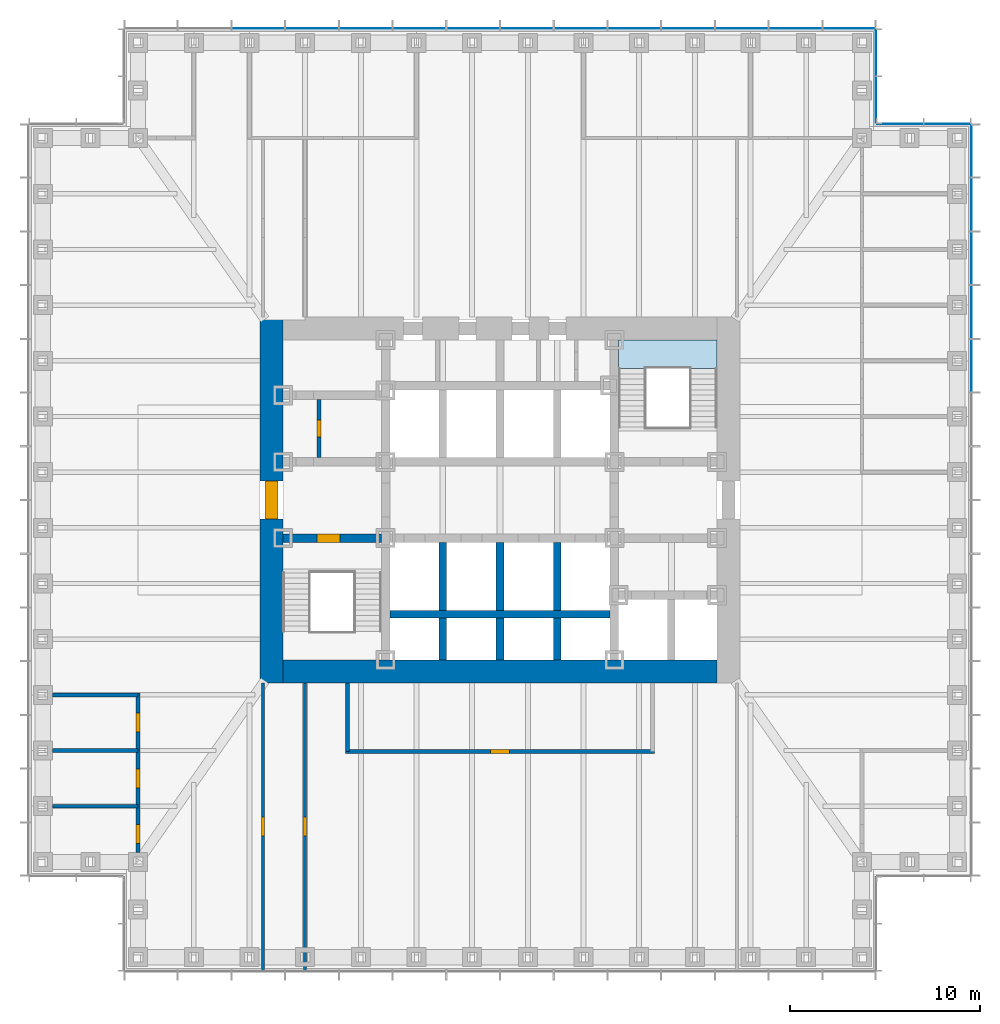
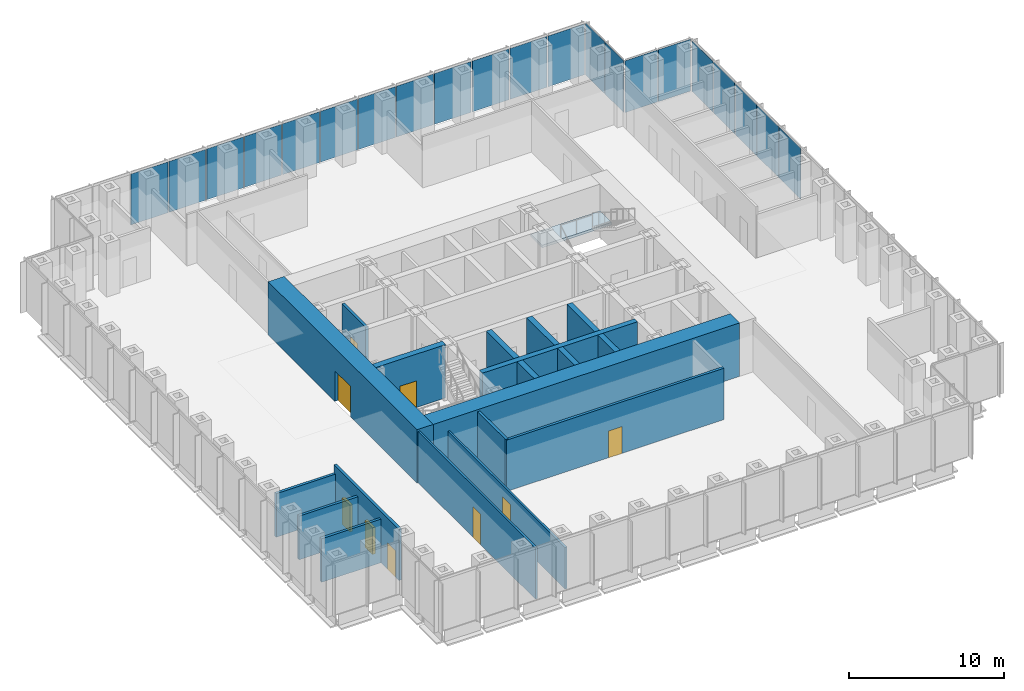
# One storey, part 8 of 16: 21 plates, 19 walls, 9 doors, 1 slab, 9 openings, 5 elements without a shape of their own.
"""IFC4 building model written with IfcOpenShell, lengths in metres."""

from ifc_helpers import new_model, si_unit, direction, frame, frame_2d, origin, origin_2d, place, context, subcontext, project, spatial, polyline, rectangle, outline, extrude, material, layer, layer_set, type_object, element, fill, aggregate, save


model = new_model("IFC4")

# Units and contexts
model_context = context("Model", 3, precision=1e-05, world=origin(), true_north=direction((0.0, 1.0)))
body_context = subcontext(model_context, "Body", "Model", "MODEL_VIEW")
ifc_project = project(units=[si_unit("LENGTHUNIT", "METRE"), si_unit("AREAUNIT", "SQUARE_METRE"), si_unit("VOLUMEUNIT", "CUBIC_METRE"), si_unit("PLANEANGLEUNIT", "RADIAN"), si_unit("MASSUNIT", "GRAM", prefix="KILO")], contexts=[model_context])

# Site, building, storey
site_placement = place(None, origin())
site = spatial("IfcSite", under=ifc_project, at=site_placement, CompositionType="ELEMENT")
building_placement = place(site_placement, origin())
building = spatial("IfcBuilding", under=site, at=building_placement, Name="Daluyong Arena Tower", CompositionType="ELEMENT")
storey_placement = place(building_placement, frame((0.0, 0.0, 51.699951171875)))
storey = spatial("IfcBuildingStorey", under=building, at=storey_placement, Name="L10", CompositionType="ELEMENT", Elevation=51.699951171875)

# Curtain wall, plates
ifc_material_1 = material(Name="Bronze anodised aluminium and glass", Category="aluminium")
curtain_wall_type_1 = type_object("IfcCurtainWallType", Name="Curtain wall CW1", PredefinedType="USERDEFINED", material=ifc_material_1)
curtain_wall_1_placement = place(storey_placement, origin())
curtain_wall_1 = element("IfcCurtainWall", 1, at=curtain_wall_1_placement, inside=storey, type_object=curtain_wall_type_1, Name="curtain wall L10 E", ObjectType="UNITISED CURTAIN WALL", PredefinedType="USERDEFINED")
ifc_material_2 = material(Name="Tinted double glazed unit", Category="glass")
ifc_layer_1 = layer(ifc_material_2, 0.031982421875)
ifc_layer_set_1 = layer_set([ifc_layer_1], Name="Tinted double glazed unit")
plate_type_1 = type_object("IfcPlateType", Name="CW1 panel 32", PredefinedType="CURTAIN_PANEL", material=ifc_layer_set_1)
plate_1_placement = place(storey_placement, frame((80.75, 87.053466796875, 0.0), z_axis=(0.0, 0.0, 1.0), x_axis=(0.0, 1.0, 0.0)))
plate_1 = element("IfcPlate", 2, at=plate_1_placement, type_object=plate_type_1, Name="curtain wall L10 E panel 10", PredefinedType="CURTAIN_PANEL", context=body_context, shape_type="SweptSolid", body=[
    extrude(rectangle(XDim=2.741455078125, YDim=0.031982421875, at=origin_2d()), origin(), (0.0, 0.0, 1.0), 4.0),
])
plate_2_placement = place(storey_placement, frame((80.75, 89.875, 0.0), z_axis=(0.0, 0.0, 1.0), x_axis=(0.0, 1.0, 0.0)))
plate_2 = element("IfcPlate", 3, at=plate_2_placement, type_object=plate_type_1, Name="curtain wall L10 E panel 11", PredefinedType="CURTAIN_PANEL", context=body_context, shape_type="SweptSolid", body=[
    extrude(rectangle(XDim=2.741455078125, YDim=0.031982421875, at=origin_2d()), origin(), (0.0, 0.0, 1.0), 4.0),
])
plate_3_placement = place(storey_placement, frame((80.75, 92.696533203125, 0.0), z_axis=(0.0, 0.0, 1.0), x_axis=(0.0, 1.0, 0.0)))
plate_3 = element("IfcPlate", 4, at=plate_3_placement, type_object=plate_type_1, Name="curtain wall L10 E panel 12", PredefinedType="CURTAIN_PANEL", context=body_context, shape_type="SweptSolid", body=[
    extrude(rectangle(XDim=2.741455078125, YDim=0.031982421875, at=origin_2d()), origin(), (0.0, 0.0, 1.0), 4.0),
])
plate_4_placement = place(storey_placement, frame((80.75, 95.517822265625, 0.0), z_axis=(0.0, 0.0, 1.0), x_axis=(0.0, 1.0, 0.0)))
plate_4 = element("IfcPlate", 5, at=plate_4_placement, type_object=plate_type_1, Name="curtain wall L10 E panel 13", PredefinedType="CURTAIN_PANEL", context=body_context, shape_type="SweptSolid", body=[
    extrude(rectangle(XDim=2.741455078125, YDim=0.031982421875, at=origin_2d()), origin(), (0.0, 0.0, 1.0), 4.0),
])
plate_5_placement = place(storey_placement, frame((80.75, 98.3193359375, 0.0), z_axis=(0.0, 0.0, 1.0), x_axis=(0.0, 1.0, 0.0)))
plate_5 = element("IfcPlate", 6, at=plate_5_placement, type_object=plate_type_1, Name="curtain wall L10 E panel 14", PredefinedType="CURTAIN_PANEL", context=body_context, shape_type="SweptSolid", body=[
    extrude(rectangle(XDim=2.701416015625, YDim=0.031982421875, at=origin_2d()), origin(), (0.0, 0.0, 1.0), 4.0),
])
aggregate(curtain_wall_1, [plate_1, plate_2, plate_3, plate_4, plate_5])

curtain_wall_2_placement = place(storey_placement, origin())
curtain_wall_2 = element("IfcCurtainWall", 7, at=curtain_wall_2_placement, inside=storey, type_object=curtain_wall_type_1, Name="curtain wall L10 N", ObjectType="UNITISED CURTAIN WALL", PredefinedType="USERDEFINED")
plate_6_placement = place(storey_placement, frame((74.3193359375, 104.75, 0.0), z_axis=(0.0, 0.0, 1.0), x_axis=(-1.0, 0.0, 0.0)))
plate_6 = element("IfcPlate", 8, at=plate_6_placement, type_object=plate_type_1, Name="curtain wall L10 N panel 1", PredefinedType="CURTAIN_PANEL", context=body_context, shape_type="SweptSolid", body=[
    extrude(rectangle(XDim=2.701416015625, YDim=0.031982421875, at=origin_2d()), origin(), (0.0, 0.0, 1.0), 4.0),
])
plate_7_placement = place(storey_placement, frame((71.517822265625, 104.75, 0.0), z_axis=(0.0, 0.0, 1.0), x_axis=(-1.0, 0.0, 0.0)))
plate_7 = element("IfcPlate", 9, at=plate_7_placement, type_object=plate_type_1, Name="curtain wall L10 N panel 2", PredefinedType="CURTAIN_PANEL", context=body_context, shape_type="SweptSolid", body=[
    extrude(rectangle(XDim=2.741455078125, YDim=0.031982421875, at=origin_2d()), origin(), (0.0, 0.0, 1.0), 4.0),
])
plate_8_placement = place(storey_placement, frame((68.696533203125, 104.75, 0.0), z_axis=(0.0, 0.0, 1.0), x_axis=(-1.0, 0.0, 0.0)))
plate_8 = element("IfcPlate", 10, at=plate_8_placement, type_object=plate_type_1, Name="curtain wall L10 N panel 3", PredefinedType="CURTAIN_PANEL", context=body_context, shape_type="SweptSolid", body=[
    extrude(rectangle(XDim=2.741455078125, YDim=0.031982421875, at=origin_2d()), origin(), (0.0, 0.0, 1.0), 4.0),
])
plate_9_placement = place(storey_placement, frame((65.875, 104.75, 0.0), z_axis=(0.0, 0.0, 1.0), x_axis=(-1.0, 0.0, 0.0)))
plate_9 = element("IfcPlate", 11, at=plate_9_placement, type_object=plate_type_1, Name="curtain wall L10 N panel 4", PredefinedType="CURTAIN_PANEL", context=body_context, shape_type="SweptSolid", body=[
    extrude(rectangle(XDim=2.741455078125, YDim=0.031982421875, at=origin_2d()), origin(), (0.0, 0.0, 1.0), 4.0),
])
plate_10_placement = place(storey_placement, frame((63.053466796875, 104.75, 0.0), z_axis=(0.0, 0.0, 1.0), x_axis=(-1.0, 0.0, 0.0)))
plate_10 = element("IfcPlate", 12, at=plate_10_placement, type_object=plate_type_1, Name="curtain wall L10 N panel 5", PredefinedType="CURTAIN_PANEL", context=body_context, shape_type="SweptSolid", body=[
    extrude(rectangle(XDim=2.741455078125, YDim=0.031982421875, at=origin_2d()), origin(), (0.0, 0.0, 1.0), 4.0),
])
plate_11_placement = place(storey_placement, frame((60.232177734375, 104.75, 0.0), z_axis=(0.0, 0.0, 1.0), x_axis=(-1.0, 0.0, 0.0)))
plate_11 = element("IfcPlate", 13, at=plate_11_placement, type_object=plate_type_1, Name="curtain wall L10 N panel 6", PredefinedType="CURTAIN_PANEL", context=body_context, shape_type="SweptSolid", body=[
    extrude(rectangle(XDim=2.741455078125, YDim=0.031982421875, at=origin_2d()), origin(), (0.0, 0.0, 1.0), 4.0),
])
plate_12_placement = place(storey_placement, frame((57.41064453125, 104.75, 0.0), z_axis=(0.0, 0.0, 1.0), x_axis=(-1.0, 0.0, 0.0)))
plate_12 = element("IfcPlate", 14, at=plate_12_placement, type_object=plate_type_1, Name="curtain wall L10 N panel 7", PredefinedType="CURTAIN_PANEL", context=body_context, shape_type="SweptSolid", body=[
    extrude(rectangle(XDim=2.741455078125, YDim=0.031982421875, at=origin_2d()), origin(), (0.0, 0.0, 1.0), 4.0),
])
plate_13_placement = place(storey_placement, frame((54.58935546875, 104.75, 0.0), z_axis=(0.0, 0.0, 1.0), x_axis=(-1.0, 0.0, 0.0)))
plate_13 = element("IfcPlate", 15, at=plate_13_placement, type_object=plate_type_1, Name="curtain wall L10 N panel 8", PredefinedType="CURTAIN_PANEL", context=body_context, shape_type="SweptSolid", body=[
    extrude(rectangle(XDim=2.741455078125, YDim=0.031982421875, at=origin_2d()), origin(), (0.0, 0.0, 1.0), 4.0),
])
plate_14_placement = place(storey_placement, frame((51.767822265625, 104.75, 0.0), z_axis=(0.0, 0.0, 1.0), x_axis=(-1.0, 0.0, 0.0)))
plate_14 = element("IfcPlate", 16, at=plate_14_placement, type_object=plate_type_1, Name="curtain wall L10 N panel 9", PredefinedType="CURTAIN_PANEL", context=body_context, shape_type="SweptSolid", body=[
    extrude(rectangle(XDim=2.741455078125, YDim=0.031982421875, at=origin_2d()), origin(), (0.0, 0.0, 1.0), 4.0),
])
plate_15_placement = place(storey_placement, frame((48.946533203125, 104.75, 0.0), z_axis=(0.0, 0.0, 1.0), x_axis=(-1.0, 0.0, 0.0)))
plate_15 = element("IfcPlate", 17, at=plate_15_placement, type_object=plate_type_1, Name="curtain wall L10 N panel 10", PredefinedType="CURTAIN_PANEL", context=body_context, shape_type="SweptSolid", body=[
    extrude(rectangle(XDim=2.741455078125, YDim=0.031982421875, at=origin_2d()), origin(), (0.0, 0.0, 1.0), 4.0),
])
plate_16_placement = place(storey_placement, frame((46.125, 104.75, 0.0), z_axis=(0.0, 0.0, 1.0), x_axis=(-1.0, 0.0, 0.0)))
plate_16 = element("IfcPlate", 18, at=plate_16_placement, type_object=plate_type_1, Name="curtain wall L10 N panel 11", PredefinedType="CURTAIN_PANEL", context=body_context, shape_type="SweptSolid", body=[
    extrude(rectangle(XDim=2.741455078125, YDim=0.031982421875, at=origin_2d()), origin(), (0.0, 0.0, 1.0), 4.0),
])
plate_17_placement = place(storey_placement, frame((43.303466796875, 104.75, 0.0), z_axis=(0.0, 0.0, 1.0), x_axis=(-1.0, 0.0, 0.0)))
plate_17 = element("IfcPlate", 19, at=plate_17_placement, type_object=plate_type_1, Name="curtain wall L10 N panel 12", PredefinedType="CURTAIN_PANEL", context=body_context, shape_type="SweptSolid", body=[
    extrude(rectangle(XDim=2.741455078125, YDim=0.031982421875, at=origin_2d()), origin(), (0.0, 0.0, 1.0), 4.0),
])
aggregate(curtain_wall_2, [plate_6, plate_7, plate_8, plate_9, plate_10, plate_11, plate_12, plate_13, plate_14, plate_15, plate_16, plate_17])

ifc_material_3 = material(Name="Bronze anodised aluminium and glass", Category="aluminium")
curtain_wall_type_2 = type_object("IfcCurtainWallType", Name="Curtain wall CW7", PredefinedType="USERDEFINED", material=ifc_material_3)
curtain_wall_3_placement = place(storey_placement, origin())
curtain_wall_3 = element("IfcCurtainWall", 20, at=curtain_wall_3_placement, inside=storey, type_object=curtain_wall_type_2, Name="curtain wall L10 NE-N", ObjectType="UNITISED CURTAIN WALL", PredefinedType="USERDEFINED")
ifc_material_4 = material(Name="Tinted double glazed unit", Category="glass")
ifc_layer_2 = layer(ifc_material_4, 0.028076171875)
ifc_layer_set_2 = layer_set([ifc_layer_2], Name="Tinted double glazed unit")
plate_type_2 = type_object("IfcPlateType", Name="CW7 panel 28", PredefinedType="CURTAIN_PANEL", material=ifc_layer_set_2)
plate_18_placement = place(storey_placement, frame((79.485107421875, 99.75, 0.0), z_axis=(0.0, 0.0, 1.0), x_axis=(-1.0, 0.0, 0.0)))
plate_18 = element("IfcPlate", 21, at=plate_18_placement, type_object=plate_type_2, Name="curtain wall L10 NE-N panel 1", PredefinedType="CURTAIN_PANEL", context=body_context, shape_type="SweptSolid", body=[
    extrude(rectangle(XDim=2.409912109375, YDim=0.028076171875, at=origin_2d()), origin(), (0.0, 0.0, 1.0), 4.080078125),
])
plate_19_placement = place(storey_placement, frame((77.014892578125, 99.75, 0.0), z_axis=(0.0, 0.0, 1.0), x_axis=(-1.0, 0.0, 0.0)))
plate_19 = element("IfcPlate", 22, at=plate_19_placement, type_object=plate_type_2, Name="curtain wall L10 NE-N panel 2", PredefinedType="CURTAIN_PANEL", context=body_context, shape_type="SweptSolid", body=[
    extrude(rectangle(XDim=2.409912109375, YDim=0.028076171875, at=origin_2d()), origin(), (0.0, 0.0, 1.0), 4.080078125),
])
aggregate(curtain_wall_3, [plate_18, plate_19])

curtain_wall_4_placement = place(storey_placement, origin())
curtain_wall_4 = element("IfcCurtainWall", 23, at=curtain_wall_4_placement, inside=storey, type_object=curtain_wall_type_2, Name="curtain wall L10 NE-E", ObjectType="UNITISED CURTAIN WALL", PredefinedType="USERDEFINED")
plate_20_placement = place(storey_placement, frame((75.75, 101.014892578125, 0.0), z_axis=(0.0, 0.0, 1.0), x_axis=(0.0, 1.0, 0.0)))
plate_20 = element("IfcPlate", 24, at=plate_20_placement, type_object=plate_type_2, Name="curtain wall L10 NE-E panel 1", PredefinedType="CURTAIN_PANEL", context=body_context, shape_type="SweptSolid", body=[
    extrude(rectangle(XDim=2.409912109375, YDim=0.028076171875, at=origin_2d()), origin(), (0.0, 0.0, 1.0), 4.080078125),
])
plate_21_placement = place(storey_placement, frame((75.75, 103.485107421875, 0.0), z_axis=(0.0, 0.0, 1.0), x_axis=(0.0, 1.0, 0.0)))
plate_21 = element("IfcPlate", 25, at=plate_21_placement, type_object=plate_type_2, Name="curtain wall L10 NE-E panel 2", PredefinedType="CURTAIN_PANEL", context=body_context, shape_type="SweptSolid", body=[
    extrude(rectangle(XDim=2.409912109375, YDim=0.028076171875, at=origin_2d()), origin(), (0.0, 0.0, 1.0), 4.080078125),
])
aggregate(curtain_wall_4, [plate_20, plate_21])

# Stair, slab
ifc_material_5 = material(Name="Concrete fc' 35 MPa", Category="concrete")
stair_type = type_object("IfcStairType", Name="Core exit stair", PredefinedType="HALF_TURN_STAIR", material=ifc_material_5)
stair_placement = place(storey_placement, origin())
stair = element("IfcStair", 26, at=stair_placement, inside=storey, type_object=stair_type, Name="exit stair B L10", PredefinedType="HALF_TURN_STAIR")
ifc_material_6 = material(Name="Concrete fc' 35 MPa", Category="concrete")
ifc_layer_3 = layer(ifc_material_6, 0.199951171875)
ifc_layer_set_3 = layer_set([ifc_layer_3], Name="Concrete fc' 35 MPa")
slab_type = type_object("IfcSlabType", Name="Stair landing 200", PredefinedType="LANDING", material=ifc_layer_set_3)
slab_placement = place(storey_placement, frame((0.0, 0.0, 1.900146484375)))
slab = element("IfcSlab", 27, at=slab_placement, type_object=slab_type, Name="STB landing 1", PredefinedType="LANDING", context=body_context, shape_type="SweptSolid", body=[
    extrude(outline(polyline([(62.22509765625, 86.905029296875), (67.39990234375, 86.905029296875), (67.39990234375, 88.39990234375), (62.22509765625, 88.39990234375), (62.22509765625, 86.905029296875)])), origin(), (0.0, 0.0, 1.0), 0.199951171875),
])
aggregate(stair, [slab])

# Wall, opening, door
ifc_material_7 = material(Name="Concrete fc' 45 MPa", Category="concrete")
ifc_layer_4 = layer(ifc_material_7, 0.449951171875)
ifc_layer_set_4 = layer_set([ifc_layer_4], Name="Concrete fc' 45 MPa")
wall_type_1 = type_object("IfcWallType", Name="Core inner wall 450", PredefinedType="SHEAR", material=ifc_layer_set_4)
wall_1_placement = place(storey_placement, frame((44.60009765625, 78.0, 0.0), z_axis=(0.0, 0.0, 1.0), x_axis=(1.0, 0.0, 0.0)))
wall_1 = element("IfcWall", 28, at=wall_1_placement, inside=storey, type_object=wall_type_1, Name="core inner wall at L10", PredefinedType="SHEAR", context=body_context, shape_type="SweptSolid", body=[
    extrude(rectangle(XDim=5.1748046875, YDim=0.449951171875, at=frame_2d((2.58740234375, 0.0))), origin(), (0.0, 0.0, 1.0), 4.199951171875),
])
opening_1_placement = place(wall_1_placement, frame((1.800048828125, 0.0, 0.0)))
opening_1 = element("IfcOpeningElement", 29, at=opening_1_placement, cuts=wall_1, Name="Opening 10009", PredefinedType="OPENING", context=body_context, shape_type="SweptSolid", body=[
    extrude(rectangle(XDim=1.199951171875, YDim=2.10009765625, at=frame_2d((0.60009765625, 1.050048828125))), frame((0.0, 0.23486328125, 0.0), z_axis=(0.0, -1.0, 0.0), x_axis=(1.0, 0.0, 0.0)), (0.0, 0.0, 1.0), 0.469970703125),
])
ifc_material_8 = material(Name="Steel door, fire rated", Category="steel")
door_type_1 = type_object("IfcDoorType", Name="Stair door 1200", OperationType="SINGLE_SWING_LEFT", PredefinedType="DOOR", material=ifc_material_8)
door_1_placement = place(opening_1_placement, origin())
door_1 = element("IfcDoor", 30, at=door_1_placement, inside=storey, type_object=door_type_1, Name="stair A door 10009", OperationType="SINGLE_SWING_LEFT", OverallHeight=2.10009765625, OverallWidth=1.199951171875, PredefinedType="DOOR", context=body_context, shape_type="SweptSolid", body=[
    extrude(rectangle(XDim=1.199951171875, YDim=2.10009765625, at=frame_2d((0.60009765625, 1.050048828125))), frame((0.0, 0.224609375, 0.0), z_axis=(0.0, -1.0, 0.0), x_axis=(1.0, 0.0, 0.0)), (0.0, 0.0, 1.0), 0.449462890625),
])
fill(opening_1, door_1)

ifc_material_9 = material(Name="Concrete fc' 60 MPa", Category="concrete")
ifc_layer_5 = layer(ifc_material_9, 1.199951171875)
ifc_layer_set_5 = layer_set([ifc_layer_5], Name="Concrete fc' 60 MPa")
wall_type_2 = type_object("IfcWallType", Name="Core wall 1200", PredefinedType="SHEAR", material=ifc_layer_set_5)
wall_2_placement = place(storey_placement, frame((44.0, 70.39990234375, 0.0), z_axis=(0.0, 0.0, 1.0), x_axis=(0.0, 1.0, 0.0)))
wall_2 = element("IfcWall", 31, at=wall_2_placement, inside=storey, type_object=wall_type_2, Name="core wall at L10", PredefinedType="SHEAR", context=body_context, shape_type="SweptSolid", body=[
    extrude(rectangle(XDim=19.2001953125, YDim=1.199951171875, at=frame_2d((9.60009765625, 0.0))), origin(), (0.0, 0.0, 1.0), 4.199951171875),
])
opening_2_placement = place(wall_2_placement, frame((8.60009765625, 0.0, 0.0)))
opening_2 = element("IfcOpeningElement", 32, at=opening_2_placement, cuts=wall_2, Name="Opening 10011", PredefinedType="OPENING", context=body_context, shape_type="SweptSolid", body=[
    extrude(rectangle(XDim=2.0, YDim=2.39990234375, at=frame_2d((1.0, 1.199951171875))), frame((0.0, 0.60986328125, 0.0), z_axis=(0.0, -1.0, 0.0), x_axis=(1.0, 0.0, 0.0)), (0.0, 0.0, 1.0), 1.219970703125),
])
ifc_material_10 = material(Name="Steel door, fire rated", Category="steel")
door_type_2 = type_object("IfcDoorType", Name="Core lobby double door 2000", OperationType="DOUBLE_DOOR_SINGLE_SWING", PredefinedType="DOOR", material=ifc_material_10)
door_2_placement = place(opening_2_placement, origin())
door_2 = element("IfcDoor", 33, at=door_2_placement, inside=storey, type_object=door_type_2, Name="core lobby door west 10011", OperationType="DOUBLE_DOOR_SINGLE_SWING", OverallHeight=2.39990234375, OverallWidth=2.0, PredefinedType="DOOR", context=body_context, shape_type="SweptSolid", body=[
    extrude(rectangle(XDim=2.0, YDim=2.39990234375, at=frame_2d((1.0, 1.199951171875))), frame((0.0, 0.35009765625, 0.0), z_axis=(0.0, -1.0, 0.0), x_axis=(1.0, 0.0, 0.0)), (0.0, 0.0, 1.0), 0.699951171875),
])
fill(opening_2, door_2)

# Wall
wall_3_placement = place(storey_placement, frame((44.60009765625, 71.0, 0.0), z_axis=(0.0, 0.0, 1.0), x_axis=(1.0, 0.0, 0.0)))
element("IfcWall", 34, at=wall_3_placement, inside=storey, type_object=wall_type_2, Name="core wall at L10", PredefinedType="SHEAR", context=body_context, shape_type="SweptSolid", body=[
    extrude(rectangle(XDim=22.7998046875, YDim=1.199951171875, at=frame_2d((11.39990234375, 0.0))), origin(), (0.0, 0.0, 1.0), 4.199951171875),
])

# Wall, opening, door
ifc_material_11 = material(Name="Concrete block partition, fire rated", Category="concrete")
ifc_layer_6 = layer(ifc_material_11, 0.199951171875)
ifc_layer_set_6 = layer_set([ifc_layer_6], Name="Concrete block partition, fire rated")
wall_type_3 = type_object("IfcWallType", Name="Fire-rated partition 200", PredefinedType="PARTITIONING", material=ifc_layer_set_6)
wall_4_placement = place(storey_placement, frame((46.5, 82.22509765625, 0.0), z_axis=(0.0, 0.0, 1.0), x_axis=(0.0, 1.0, 0.0)))
wall_4 = element("IfcWall", 35, at=wall_4_placement, inside=storey, type_object=wall_type_3, Name="toilet lobby partition at L10", PredefinedType="PARTITIONING", context=body_context, shape_type="SweptSolid", body=[
    extrude(rectangle(XDim=3.0498046875, YDim=0.199951171875, at=frame_2d((1.52490234375, 0.0))), origin(), (0.0, 0.0, 1.0), 4.0400390625),
])
opening_3_placement = place(wall_4_placement, frame((1.074951171875, 0.0, 0.0)))
opening_3 = element("IfcOpeningElement", 36, at=opening_3_placement, cuts=wall_4, Name="Opening 10002", PredefinedType="OPENING", context=body_context, shape_type="SweptSolid", body=[
    extrude(rectangle(XDim=0.89990234375, YDim=2.10009765625, at=frame_2d((0.449951171875, 1.050048828125))), frame((0.0, 0.10986328125, 0.0), z_axis=(0.0, -1.0, 0.0), x_axis=(1.0, 0.0, 0.0)), (0.0, 0.0, 1.0), 0.219970703125),
])
ifc_material_12 = material(Name="Timber door", Category="wood")
door_type_3 = type_object("IfcDoorType", Name="Toilet door 900", OperationType="SINGLE_SWING_RIGHT", PredefinedType="DOOR", material=ifc_material_12)
door_3_placement = place(opening_3_placement, origin())
door_3 = element("IfcDoor", 37, at=door_3_placement, inside=storey, type_object=door_type_3, Name="male toilet door 10002", OperationType="SINGLE_SWING_RIGHT", OverallHeight=2.10009765625, OverallWidth=0.89990234375, PredefinedType="DOOR", context=body_context, shape_type="SweptSolid", body=[
    extrude(rectangle(XDim=0.89990234375, YDim=2.10009765625, at=frame_2d((0.449951171875, 1.050048828125))), frame((0.0, 0.099609375, 0.0), z_axis=(0.0, -1.0, 0.0), x_axis=(1.0, 0.0, 0.0)), (0.0, 0.0, 1.0), 0.199462890625),
])
fill(opening_3, door_3)

ifc_material_13 = material(Name="Glazed aluminium partition", Category="aluminium")
ifc_layer_7 = layer(ifc_material_13, 0.14990234375)
ifc_layer_set_7 = layer_set([ifc_layer_7], Name="Glazed aluminium partition")
wall_type_4 = type_object("IfcWallType", Name="Glazed partition 150", PredefinedType="PARTITIONING", material=ifc_layer_set_7)
wall_5_placement = place(storey_placement, frame((43.550048828125, 55.31005859375, 0.0), z_axis=(0.0, 0.0, 1.0), x_axis=(0.0, 1.0, 0.0)))
wall_5 = element("IfcWall", 38, at=wall_5_placement, inside=storey, type_object=wall_type_4, Name="glazed partition at L10", PredefinedType="PARTITIONING", context=body_context, shape_type="SweptSolid", body=[
    extrude(rectangle(XDim=15.08984375, YDim=0.14990234375, at=frame_2d((7.544921875, 0.0))), origin(), (0.0, 0.0, 1.0), 4.0400390625),
])
opening_4_placement = place(wall_5_placement, frame((7.044921875, 0.0, 0.0)))
opening_4 = element("IfcOpeningElement", 39, at=opening_4_placement, cuts=wall_5, Name="Opening 10037", PredefinedType="OPENING", context=body_context, shape_type="SweptSolid", body=[
    extrude(rectangle(XDim=1.0, YDim=2.39990234375, at=frame_2d((0.5, 1.199951171875))), frame((0.0, 0.0849609375, 0.0), z_axis=(0.0, -1.0, 0.0), x_axis=(1.0, 0.0, 0.0)), (0.0, 0.0, 1.0), 0.169921875),
])
ifc_material_14 = material(Name="Glazed aluminium door", Category="aluminium")
door_type_4 = type_object("IfcDoorType", Name="Meeting room glazed door 1000", OperationType="SINGLE_SWING_RIGHT", PredefinedType="DOOR", material=ifc_material_14)
door_4_placement = place(opening_4_placement, origin())
door_4 = element("IfcDoor", 40, at=door_4_placement, inside=storey, type_object=door_type_4, Name="team area screen door 10037", OperationType="SINGLE_SWING_RIGHT", OverallHeight=2.39990234375, OverallWidth=1.0, PredefinedType="DOOR", context=body_context, shape_type="SweptSolid", body=[
    extrude(rectangle(XDim=1.0, YDim=2.39990234375, at=frame_2d((0.5, 1.199951171875))), frame((0.0, 0.07470703125, 0.0), z_axis=(0.0, -1.0, 0.0), x_axis=(1.0, 0.0, 0.0)), (0.0, 0.0, 1.0), 0.1494140625),
])
fill(opening_4, door_4)

wall_6_placement = place(storey_placement, frame((45.769287109375, 55.31005859375, 0.0), z_axis=(0.0, 0.0, 1.0), x_axis=(0.0, 1.0, 0.0)))
wall_6 = element("IfcWall", 41, at=wall_6_placement, inside=storey, type_object=wall_type_4, Name="glazed partition at L10", PredefinedType="PARTITIONING", context=body_context, shape_type="SweptSolid", body=[
    extrude(rectangle(XDim=15.08984375, YDim=0.14990234375, at=frame_2d((7.544921875, 0.0))), origin(), (0.0, 0.0, 1.0), 3.278076171875),
])
opening_5_placement = place(wall_6_placement, frame((7.044921875, 0.0, 0.0)))
opening_5 = element("IfcOpeningElement", 42, at=opening_5_placement, cuts=wall_6, Name="Opening 10041", PredefinedType="OPENING", context=body_context, shape_type="SweptSolid", body=[
    extrude(rectangle(XDim=1.0, YDim=2.39990234375, at=frame_2d((0.5, 1.199951171875))), frame((0.0, 0.0849609375, 0.0), z_axis=(0.0, -1.0, 0.0), x_axis=(1.0, 0.0, 0.0)), (0.0, 0.0, 1.0), 0.169921875),
])
door_5_placement = place(opening_5_placement, origin())
door_5 = element("IfcDoor", 43, at=door_5_placement, inside=storey, type_object=door_type_4, Name="team area screen door 10041", OperationType="SINGLE_SWING_RIGHT", OverallHeight=2.39990234375, OverallWidth=1.0, PredefinedType="DOOR", context=body_context, shape_type="SweptSolid", body=[
    extrude(rectangle(XDim=1.0, YDim=2.39990234375, at=frame_2d((0.5, 1.199951171875))), frame((0.0, 0.07470703125, 0.0), z_axis=(0.0, -1.0, 0.0), x_axis=(1.0, 0.0, 0.0)), (0.0, 0.0, 1.0), 0.1494140625),
])
fill(opening_5, door_5)

# Walls
ifc_material_15 = material(Name="Concrete fc' 45 MPa", Category="concrete")
ifc_layer_8 = layer(ifc_material_15, 0.39990234375)
ifc_layer_set_8 = layer_set([ifc_layer_8], Name="Concrete fc' 45 MPa")
wall_type_5 = type_object("IfcWallType", Name="Lift shaft wall 400", PredefinedType="SHEAR", material=ifc_layer_set_8)
wall_7_placement = place(storey_placement, frame((50.22509765625, 74.0, 0.0), z_axis=(0.0, 0.0, 1.0), x_axis=(1.0, 0.0, 0.0)))
element("IfcWall", 44, at=wall_7_placement, inside=storey, type_object=wall_type_5, Name="lift shaft wall at L10", PredefinedType="SHEAR", context=body_context, shape_type="SweptSolid", body=[
    extrude(rectangle(XDim=11.5498046875, YDim=0.39990234375, at=frame_2d((5.77490234375, 0.0))), origin(), (0.0, 0.0, 1.0), 4.199951171875),
])
wall_8_placement = place(storey_placement, frame((53.0, 71.60009765625, 0.0), z_axis=(0.0, 0.0, 1.0), x_axis=(0.0, 1.0, 0.0)))
element("IfcWall", 45, at=wall_8_placement, inside=storey, type_object=wall_type_5, Name="lift shaft wall at L10", PredefinedType="SHEAR", context=body_context, shape_type="SweptSolid", body=[
    extrude(rectangle(XDim=2.199951171875, YDim=0.39990234375, at=frame_2d((1.10009765625, 0.0))), origin(), (0.0, 0.0, 1.0), 4.199951171875),
])
wall_9_placement = place(storey_placement, frame((53.0, 74.199951171875, 0.0), z_axis=(0.0, 0.0, 1.0), x_axis=(0.0, 1.0, 0.0)))
element("IfcWall", 46, at=wall_9_placement, inside=storey, type_object=wall_type_5, Name="lift shaft wall at L10", PredefinedType="SHEAR", context=body_context, shape_type="SweptSolid", body=[
    extrude(rectangle(XDim=3.574951171875, YDim=0.39990234375, at=frame_2d((1.78759765625, 0.0))), origin(), (0.0, 0.0, 1.0), 4.199951171875),
])
wall_10_placement = place(storey_placement, frame((56.0, 71.60009765625, 0.0), z_axis=(0.0, 0.0, 1.0), x_axis=(0.0, 1.0, 0.0)))
element("IfcWall", 47, at=wall_10_placement, inside=storey, type_object=wall_type_5, Name="lift shaft wall at L10", PredefinedType="SHEAR", context=body_context, shape_type="SweptSolid", body=[
    extrude(rectangle(XDim=2.199951171875, YDim=0.39990234375, at=frame_2d((1.10009765625, 0.0))), origin(), (0.0, 0.0, 1.0), 4.199951171875),
])
wall_11_placement = place(storey_placement, frame((56.0, 74.199951171875, 0.0), z_axis=(0.0, 0.0, 1.0), x_axis=(0.0, 1.0, 0.0)))
element("IfcWall", 48, at=wall_11_placement, inside=storey, type_object=wall_type_5, Name="lift shaft wall at L10", PredefinedType="SHEAR", context=body_context, shape_type="SweptSolid", body=[
    extrude(rectangle(XDim=3.574951171875, YDim=0.39990234375, at=frame_2d((1.78759765625, 0.0))), origin(), (0.0, 0.0, 1.0), 4.199951171875),
])
wall_12_placement = place(storey_placement, frame((59.0, 71.60009765625, 0.0), z_axis=(0.0, 0.0, 1.0), x_axis=(0.0, 1.0, 0.0)))
element("IfcWall", 49, at=wall_12_placement, inside=storey, type_object=wall_type_5, Name="lift shaft wall at L10", PredefinedType="SHEAR", context=body_context, shape_type="SweptSolid", body=[
    extrude(rectangle(XDim=2.199951171875, YDim=0.39990234375, at=frame_2d((1.10009765625, 0.0))), origin(), (0.0, 0.0, 1.0), 4.199951171875),
])
wall_13_placement = place(storey_placement, frame((59.0, 74.199951171875, 0.0), z_axis=(0.0, 0.0, 1.0), x_axis=(0.0, 1.0, 0.0)))
element("IfcWall", 50, at=wall_13_placement, inside=storey, type_object=wall_type_5, Name="lift shaft wall at L10", PredefinedType="SHEAR", context=body_context, shape_type="SweptSolid", body=[
    extrude(rectangle(XDim=3.574951171875, YDim=0.39990234375, at=frame_2d((1.78759765625, 0.0))), origin(), (0.0, 0.0, 1.0), 4.199951171875),
])
ifc_material_16 = material(Name="Concrete block partition", Category="concrete")
ifc_layer_9 = layer(ifc_material_16, 0.199951171875)
ifc_layer_set_9 = layer_set([ifc_layer_9], Name="Concrete block partition")
wall_type_6 = type_object("IfcWallType", Name="Partition 200", PredefinedType="PARTITIONING", material=ifc_layer_set_9)
for number, where, z_axis, x_axis, name in (
    (51, (32.5, 63.923095703125, 0.0), (0.0, 0.0, 1.0), (1.0, 0.0, 0.0), "partition at L10"),
    (52, (32.5, 66.84619140625, 0.0), (0.0, 0.0, 1.0), (1.0, 0.0, 0.0), "partition at L10"),
    (53, (32.5, 69.769287109375, 0.0), (0.0, 0.0, 1.0), (1.0, 0.0, 0.0), "partition at L10"),
):
    element("IfcWall", number, at=place(storey_placement, frame(where, z_axis=z_axis, x_axis=x_axis)), inside=storey, type_object=wall_type_6, Name=name, PredefinedType="PARTITIONING", context=body_context, shape_type="SweptSolid", body=[
        extrude(rectangle(XDim=4.5, YDim=0.199951171875, at=frame_2d((2.25, 0.0))), origin(), (0.0, 0.0, 1.0), 3.427978515625),
    ])
wall_14_placement = place(storey_placement, frame((48.0, 66.800048828125, 0.0), z_axis=(0.0, 0.0, 1.0), x_axis=(0.0, 1.0, 0.0)))
element("IfcWall", 54, at=wall_14_placement, inside=storey, type_object=wall_type_6, Name="partition at L10", PredefinedType="PARTITIONING", context=body_context, shape_type="SweptSolid", body=[
    extrude(rectangle(XDim=3.599853515625, YDim=0.199951171875, at=frame_2d((1.7998046875, 0.0))), origin(), (0.0, 0.0, 1.0), 4.0400390625),
])

# Wall, opening, door
wall_15_placement = place(storey_placement, frame((47.89990234375, 66.800048828125, 0.0), z_axis=(0.0, 0.0, 1.0), x_axis=(1.0, 0.0, 0.0)))
wall_15 = element("IfcWall", 55, at=wall_15_placement, inside=storey, type_object=wall_type_6, Name="partition at L10", PredefinedType="PARTITIONING", context=body_context, shape_type="SweptSolid", body=[
    extrude(rectangle(XDim=16.2001953125, YDim=0.199951171875, at=frame_2d((8.10009765625, 0.0))), origin(), (0.0, 0.0, 1.0), 4.0400390625),
])
opening_6_placement = place(wall_15_placement, frame((7.60009765625, 0.0, 0.0)))
opening_6 = element("IfcOpeningElement", 56, at=opening_6_placement, cuts=wall_15, Name="Opening 10036", PredefinedType="OPENING", context=body_context, shape_type="SweptSolid", body=[
    extrude(rectangle(XDim=1.0, YDim=2.10009765625, at=frame_2d((0.5, 1.050048828125))), frame((0.0, 0.10986328125, 0.0), z_axis=(0.0, -1.0, 0.0), x_axis=(1.0, 0.0, 0.0)), (0.0, 0.0, 1.0), 0.219970703125),
])
ifc_material_17 = material(Name="Timber door", Category="wood")
door_type_5 = type_object("IfcDoorType", Name="Room door 1000", OperationType="SINGLE_SWING_LEFT", PredefinedType="DOOR", material=ifc_material_17)
door_6_placement = place(opening_6_placement, origin())
door_6 = element("IfcDoor", 57, at=door_6_placement, inside=storey, type_object=door_type_5, Name="training room door 10036", OperationType="SINGLE_SWING_LEFT", OverallHeight=2.10009765625, OverallWidth=1.0, PredefinedType="DOOR", context=body_context, shape_type="SweptSolid", body=[
    extrude(rectangle(XDim=1.0, YDim=2.10009765625, at=frame_2d((0.5, 1.050048828125))), frame((0.0, 0.099609375, 0.0), z_axis=(0.0, -1.0, 0.0), x_axis=(1.0, 0.0, 0.0)), (0.0, 0.0, 1.0), 0.199462890625),
])
fill(opening_6, door_6)

# Wall, openings, doors
wall_16_placement = place(storey_placement, frame((37.0, 61.5, 0.0), z_axis=(0.0, 0.0, 1.0), x_axis=(0.0, 1.0, 0.0)))
wall_16 = element("IfcWall", 58, at=wall_16_placement, inside=storey, type_object=wall_type_6, Name="partition at L10", PredefinedType="PARTITIONING", context=body_context, shape_type="SweptSolid", body=[
    extrude(rectangle(XDim=8.369140625, YDim=0.199951171875, at=frame_2d((4.1845703125, 0.0))), origin(), (0.0, 0.0, 1.0), 4.0400390625),
])
opening_7_placement = place(wall_16_placement, frame((0.46142578125, 0.0, 0.0)))
opening_7 = element("IfcOpeningElement", 59, at=opening_7_placement, cuts=wall_16, Name="Opening 10033", PredefinedType="OPENING", context=body_context, shape_type="SweptSolid", body=[
    extrude(rectangle(XDim=1.0, YDim=2.10009765625, at=frame_2d((0.5, 1.050048828125))), frame((0.0, 0.10986328125, 0.0), z_axis=(0.0, -1.0, 0.0), x_axis=(1.0, 0.0, 0.0)), (0.0, 0.0, 1.0), 0.219970703125),
])
opening_8_placement = place(wall_16_placement, frame((3.384521484375, 0.0, 0.0)))
opening_8 = element("IfcOpeningElement", 60, at=opening_8_placement, cuts=wall_16, Name="Opening 10034", PredefinedType="OPENING", context=body_context, shape_type="SweptSolid", body=[
    extrude(rectangle(XDim=1.0, YDim=2.10009765625, at=frame_2d((0.5, 1.050048828125))), frame((0.0, 0.10986328125, 0.0), z_axis=(0.0, -1.0, 0.0), x_axis=(1.0, 0.0, 0.0)), (0.0, 0.0, 1.0), 0.219970703125),
])
opening_9_placement = place(wall_16_placement, frame((6.3076171875, 0.0, 0.0)))
opening_9 = element("IfcOpeningElement", 61, at=opening_9_placement, cuts=wall_16, Name="Opening 10035", PredefinedType="OPENING", context=body_context, shape_type="SweptSolid", body=[
    extrude(rectangle(XDim=1.0, YDim=2.10009765625, at=frame_2d((0.5, 1.050048828125))), frame((0.0, 0.10986328125, 0.0), z_axis=(0.0, -1.0, 0.0), x_axis=(1.0, 0.0, 0.0)), (0.0, 0.0, 1.0), 0.219970703125),
])
door_7_placement = place(opening_7_placement, origin())
door_7 = element("IfcDoor", 62, at=door_7_placement, inside=storey, type_object=door_type_5, Name="quiet room door 10033", OperationType="SINGLE_SWING_LEFT", OverallHeight=2.10009765625, OverallWidth=1.0, PredefinedType="DOOR", context=body_context, shape_type="SweptSolid", body=[
    extrude(rectangle(XDim=1.0, YDim=2.10009765625, at=frame_2d((0.5, 1.050048828125))), frame((0.0, 0.099609375, 0.0), z_axis=(0.0, -1.0, 0.0), x_axis=(1.0, 0.0, 0.0)), (0.0, 0.0, 1.0), 0.199462890625),
])
fill(opening_7, door_7)
door_8_placement = place(opening_8_placement, origin())
door_8 = element("IfcDoor", 63, at=door_8_placement, inside=storey, type_object=door_type_5, Name="wellness room door 10034", OperationType="SINGLE_SWING_LEFT", OverallHeight=2.10009765625, OverallWidth=1.0, PredefinedType="DOOR", context=body_context, shape_type="SweptSolid", body=[
    extrude(rectangle(XDim=1.0, YDim=2.10009765625, at=frame_2d((0.5, 1.050048828125))), frame((0.0, 0.099609375, 0.0), z_axis=(0.0, -1.0, 0.0), x_axis=(1.0, 0.0, 0.0)), (0.0, 0.0, 1.0), 0.199462890625),
])
fill(opening_8, door_8)
door_9_placement = place(opening_9_placement, origin())
door_9 = element("IfcDoor", 64, at=door_9_placement, inside=storey, type_object=door_type_5, Name="lactation room door 10035", OperationType="SINGLE_SWING_LEFT", OverallHeight=2.10009765625, OverallWidth=1.0, PredefinedType="DOOR", context=body_context, shape_type="SweptSolid", body=[
    extrude(rectangle(XDim=1.0, YDim=2.10009765625, at=frame_2d((0.5, 1.050048828125))), frame((0.0, 0.099609375, 0.0), z_axis=(0.0, -1.0, 0.0), x_axis=(1.0, 0.0, 0.0)), (0.0, 0.0, 1.0), 0.199462890625),
])
fill(opening_9, door_9)

save(model, "model.ifc")
